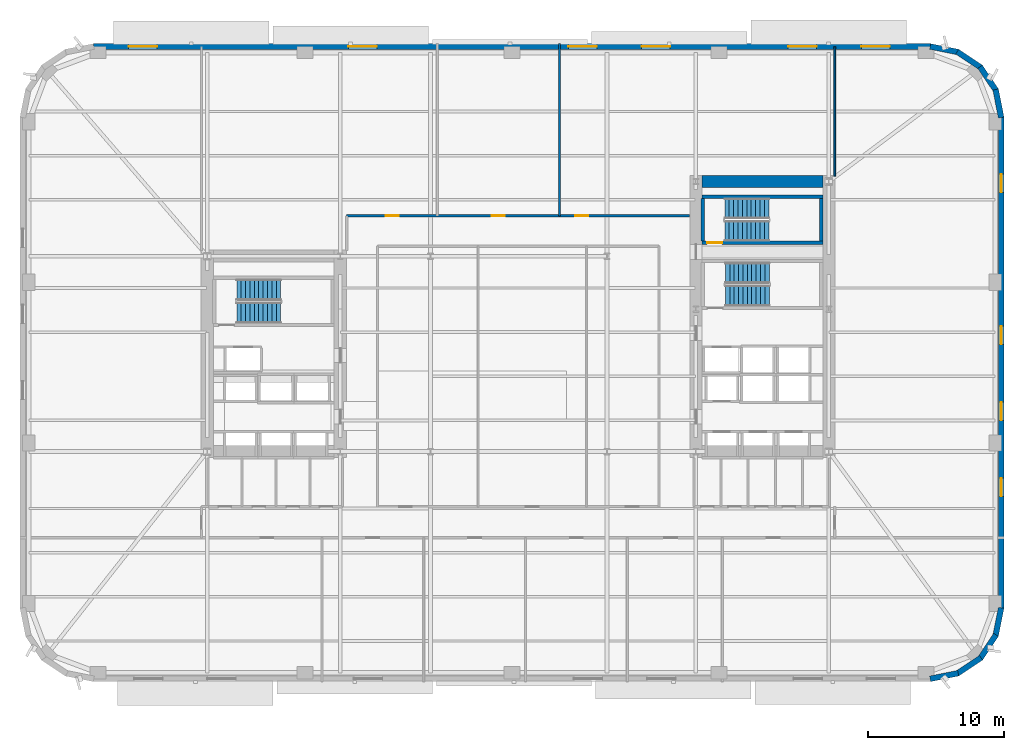
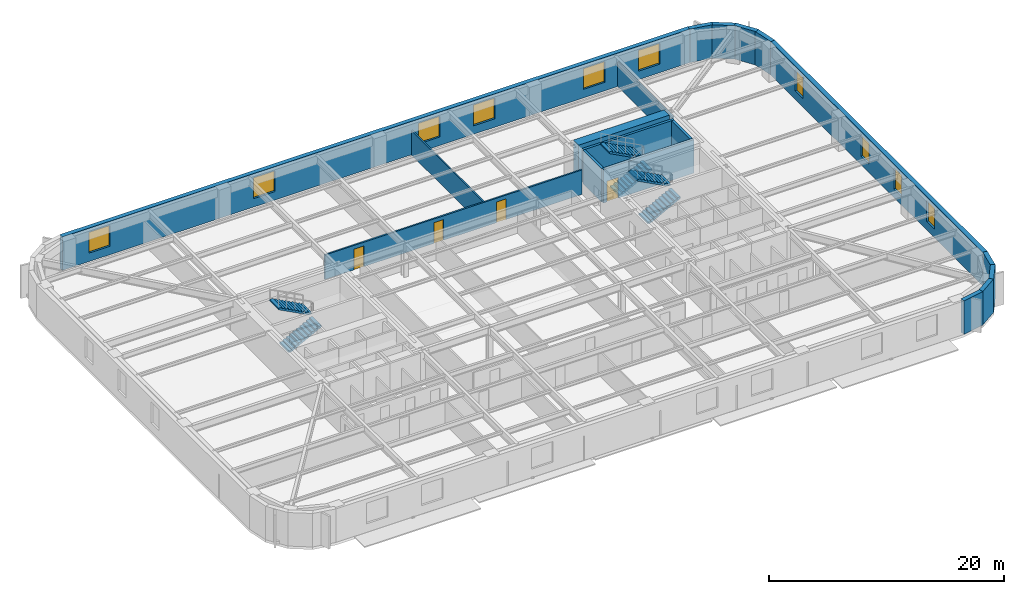
# One storey, part 7 of 15: 18 walls, 10 windows, 6 stair flights, 4 doors, 14 openings, 3 elements without a shape of their own.
"""IFC4 building model written with IfcOpenShell, lengths in metres."""

from ifc_helpers import new_model, si_unit, direction, frame, frame_2d, origin, place, context, subcontext, project, spatial, polyline, rectangle, outline, extrude, material, layer, layer_set, type_object, element, fill, aggregate, save


model = new_model("IFC4")

# Units and contexts
model_context = context("Model", 3, precision=1e-05, world=origin(), true_north=direction((0.0, 1.0)))
body_context = subcontext(model_context, "Body", "Model", "MODEL_VIEW")
ifc_project = project(units=[si_unit("LENGTHUNIT", "METRE"), si_unit("AREAUNIT", "SQUARE_METRE"), si_unit("VOLUMEUNIT", "CUBIC_METRE"), si_unit("PLANEANGLEUNIT", "RADIAN"), si_unit("MASSUNIT", "GRAM", prefix="KILO")], contexts=[model_context])

# Site, building, storey
site_placement = place(None, origin())
site = spatial("IfcSite", under=ifc_project, at=site_placement, CompositionType="ELEMENT")
building_placement = place(site_placement, origin())
building = spatial("IfcBuilding", under=site, at=building_placement, Name="Kolvaren Arena Tower", CompositionType="ELEMENT")
storey_placement = place(building_placement, frame((0.0, 0.0, 72.0)))
storey = spatial("IfcBuildingStorey", under=building, at=storey_placement, Name="L15", CompositionType="ELEMENT", Elevation=72.0)

# Wall, openings, doors
ifc_material_1 = material(Name="Gypsum board acoustic assembly", Category="gypsum")
ifc_layer_1 = layer(ifc_material_1, 0.159912109375)
ifc_layer_set_1 = layer_set([ifc_layer_1], Name="Gypsum board acoustic assembly")
wall_type_1 = type_object("IfcWallType", Name="CORR-160", PredefinedType="PARTITIONING", material=ifc_layer_set_1)
wall_1_placement = place(storey_placement, frame((24.820068359375, 36.820068359375, 0.0), z_axis=(0.0, 0.0, 1.0), x_axis=(1.0, 0.0, 0.0)))
wall_1 = element("IfcWall", 1, at=wall_1_placement, inside=storey, type_object=wall_type_1, Name="Interior Partition Wall (L15)", PredefinedType="PARTITIONING", context=body_context, shape_type="SweptSolid", body=[
    extrude(rectangle(XDim=25.260009765625, YDim=0.159912109375, at=frame_2d((12.6298828125, 0.0))), origin(), (0.0, 0.0, 1.0), 2.5400390625),
])
opening_1_placement = place(wall_1_placement, frame((2.8798828125, 0.0, 0.0)))
opening_1 = element("IfcOpeningElement", 2, at=opening_1_placement, cuts=wall_1, Name="Opening D05", PredefinedType="OPENING", context=body_context, shape_type="SweptSolid", body=[
    extrude(rectangle(XDim=0.949951171875, YDim=2.14990234375, at=frame_2d((0.47509765625, 1.074951171875))), frame((0.0, 0.08984375, 0.0), z_axis=(0.0, -1.0, 0.0), x_axis=(1.0, 0.0, 0.0)), (0.0, 0.0, 1.0), 0.179931640625),
])
opening_2_placement = place(wall_1_placement, frame((10.705078125, 0.0, 0.0)))
opening_2 = element("IfcOpeningElement", 3, at=opening_2_placement, cuts=wall_1, Name="Opening D05", PredefinedType="OPENING", context=body_context, shape_type="SweptSolid", body=[
    extrude(rectangle(XDim=0.949951171875, YDim=2.14990234375, at=frame_2d((0.47509765625, 1.074951171875))), frame((0.0, 0.08984375, 0.0), z_axis=(0.0, -1.0, 0.0), x_axis=(1.0, 0.0, 0.0)), (0.0, 0.0, 1.0), 0.179931640625),
])
opening_3_placement = place(wall_1_placement, frame((16.85498046875, 0.0, 0.0)))
opening_3 = element("IfcOpeningElement", 4, at=opening_3_placement, cuts=wall_1, Name="Opening D05", PredefinedType="OPENING", context=body_context, shape_type="SweptSolid", body=[
    extrude(rectangle(XDim=0.949951171875, YDim=2.14990234375, at=frame_2d((0.47509765625, 1.074951171875))), frame((0.0, 0.08984375, 0.0), z_axis=(0.0, -1.0, 0.0), x_axis=(1.0, 0.0, 0.0)), (0.0, 0.0, 1.0), 0.179931640625),
])
ifc_material_2 = material(Name="Solid-core oak acoustic office door", Category="wood")
door_type_1 = type_object("IfcDoorType", Name="DOOR-OF-095", OperationType="NOTDEFINED", PredefinedType="DOOR", material=ifc_material_2)
door_1_placement = place(opening_1_placement, origin())
door_1 = element("IfcDoor", 5, at=door_1_placement, inside=storey, type_object=door_type_1, Name="Design Studio Door (L15)", OperationType="SINGLE_SWING_LEFT", OverallHeight=2.14990234375, OverallWidth=0.949951171875, PredefinedType="DOOR", context=body_context, shape_type="SweptSolid", body=[
    extrude(rectangle(XDim=0.949951171875, YDim=2.14990234375, at=frame_2d((0.47509765625, 1.074951171875))), frame((0.0, 0.02490234375, 0.0), z_axis=(0.0, -1.0, 0.0), x_axis=(1.0, 0.0, 0.0)), (0.0, 0.0, 1.0), 0.050048828125),
])
fill(opening_1, door_1)
door_2_placement = place(opening_2_placement, origin())
door_2 = element("IfcDoor", 6, at=door_2_placement, inside=storey, type_object=door_type_1, Name="Open Plan Office Door (L15)", OperationType="SINGLE_SWING_RIGHT", OverallHeight=2.14990234375, OverallWidth=0.949951171875, PredefinedType="DOOR", context=body_context, shape_type="SweptSolid", body=[
    extrude(rectangle(XDim=0.949951171875, YDim=2.14990234375, at=frame_2d((0.47509765625, 1.074951171875))), frame((0.0, 0.02490234375, 0.0), z_axis=(0.0, -1.0, 0.0), x_axis=(1.0, 0.0, 0.0)), (0.0, 0.0, 1.0), 0.050048828125),
])
fill(opening_2, door_2)
door_3_placement = place(opening_3_placement, origin())
door_3 = element("IfcDoor", 7, at=door_3_placement, inside=storey, type_object=door_type_1, Name="Design Studio Door (L15)", OperationType="SINGLE_SWING_LEFT", OverallHeight=2.14990234375, OverallWidth=0.949951171875, PredefinedType="DOOR", context=body_context, shape_type="SweptSolid", body=[
    extrude(rectangle(XDim=0.949951171875, YDim=2.14990234375, at=frame_2d((0.47509765625, 1.074951171875))), frame((0.0, 0.02490234375, 0.0), z_axis=(0.0, -1.0, 0.0), x_axis=(1.0, 0.0, 0.0)), (0.0, 0.0, 1.0), 0.050048828125),
])
fill(opening_3, door_3)

# Walls
ifc_material_3 = material(Name="Concrete 80 MPa", Category="concrete")
ifc_layer_2 = layer(ifc_material_3, 0.89990234375)
ifc_layer_set_2 = layer_set([ifc_layer_2], Name="Concrete 80 MPa")
wall_type_2 = type_object("IfcWallType", Name="CWALL-900", PredefinedType="SHEAR", material=ifc_layer_set_2)
wall_2_placement = place(storey_placement, frame((51.0, 39.35009765625, -0.27001953125), z_axis=(0.0, 0.0, 1.0), x_axis=(1.0, 0.0, 0.0)))
element("IfcWall", 8, at=wall_2_placement, inside=storey, type_object=wall_type_2, Name="Core Shear Wall EC-NORTH (L15)", PredefinedType="SHEAR", context=body_context, shape_type="SweptSolid", body=[
    extrude(rectangle(XDim=8.89990234375, YDim=0.89990234375, at=frame_2d((4.449951171875, 0.0))), origin(), (0.0, 0.0, 1.0), 3.75),
])
ifc_material_4 = material(Name="Precast concrete C50/60", Category="concrete")
ifc_layer_3 = layer(ifc_material_4, 0.419921875)
ifc_layer_set_3 = layer_set([ifc_layer_3], Name="Precast concrete C50/60")
wall_type_3 = type_object("IfcWallType", Name="EXT-PIER1", PredefinedType="SOLIDWALL", material=ifc_layer_set_3)
for number, where, z_axis, x_axis, name in (
    (9, (69.87548828125, 3.1171875, 0.0), (0.0, 0.0, 1.0), (-0.9807762837, -0.195135546048, 0.0), "Exterior Precast Masonry-Frame Wall (L15)"),
    (10, (71.5517578125, 4.256103515625, 0.0), (0.0, 0.0, 1.0), (-0.831515102434, -0.555502146192, 0.0), "Exterior Precast Masonry-Frame Wall (L15)"),
    (11, (72.664306640625, 5.9501953125, 0.0), (0.0, 0.0, 1.0), (-0.555502146192, -0.831515102434, 0.0), "Exterior Precast Masonry-Frame Wall (L15)"),
    (12, (73.0439453125, 7.94091796875, 0.0), (0.0, 0.0, 1.0), (-0.195135546048, -0.9807762837, 0.0), "Exterior Precast Masonry-Frame Wall (L15)"),
):
    element("IfcWall", number, at=place(storey_placement, frame(where, z_axis=z_axis, x_axis=x_axis)), inside=storey, type_object=wall_type_3, Name=name, PredefinedType="SOLIDWALL", context=body_context, shape_type="SweptSolid", body=[
        extrude(rectangle(XDim=2.10693359375, YDim=0.419921875, at=frame_2d((1.053466796875, 0.0))), origin(), (0.0, 0.0, 1.0), 3.47998046875),
    ])

# Wall, openings, windows
wall_3_placement = place(storey_placement, frame((73.0400390625, 44.10009765625, 0.0), z_axis=(0.0, 0.0, 1.0), x_axis=(0.0, -1.0, 0.0)))
wall_3 = element("IfcWall", 13, at=wall_3_placement, inside=storey, type_object=wall_type_3, Name="Exterior Precast Masonry-Frame Wall (L15)", PredefinedType="SOLIDWALL", context=body_context, shape_type="SweptSolid", body=[
    extrude(rectangle(XDim=36.2001953125, YDim=0.419921875, at=frame_2d((18.10009765625, 0.0))), origin(), (0.0, 0.0, 1.0), 3.47998046875),
])
opening_4_placement = place(wall_3_placement, frame((4.199951171875, 0.0, 0.8798828125)))
opening_4 = element("IfcOpeningElement", 14, at=opening_4_placement, cuts=wall_3, Name="Opening W04", PredefinedType="OPENING", context=body_context, shape_type="SweptSolid", body=[
    extrude(rectangle(XDim=1.35009765625, YDim=2.199951171875, at=frame_2d((0.675048828125, 1.10009765625))), frame((0.0, 0.219970703125, 0.0), z_axis=(0.0, -1.0, 0.0), x_axis=(1.0, 0.0, 0.0)), (0.0, 0.0, 1.0), 0.43994140625),
])
opening_5_placement = place(wall_3_placement, frame((15.39990234375, 0.0, 0.8798828125)))
opening_5 = element("IfcOpeningElement", 15, at=opening_5_placement, cuts=wall_3, Name="Opening W04", PredefinedType="OPENING", context=body_context, shape_type="SweptSolid", body=[
    extrude(rectangle(XDim=1.35009765625, YDim=2.199951171875, at=frame_2d((0.675048828125, 1.10009765625))), frame((0.0, 0.219970703125, 0.0), z_axis=(0.0, -1.0, 0.0), x_axis=(1.0, 0.0, 0.0)), (0.0, 0.0, 1.0), 0.43994140625),
])
opening_6_placement = place(wall_3_placement, frame((21.0, 0.0, 0.8798828125)))
opening_6 = element("IfcOpeningElement", 16, at=opening_6_placement, cuts=wall_3, Name="Opening W04", PredefinedType="OPENING", context=body_context, shape_type="SweptSolid", body=[
    extrude(rectangle(XDim=1.35009765625, YDim=2.199951171875, at=frame_2d((0.675048828125, 1.10009765625))), frame((0.0, 0.219970703125, 0.0), z_axis=(0.0, -1.0, 0.0), x_axis=(1.0, 0.0, 0.0)), (0.0, 0.0, 1.0), 0.43994140625),
])
opening_7_placement = place(wall_3_placement, frame((26.60009765625, 0.0, 0.8798828125)))
opening_7 = element("IfcOpeningElement", 17, at=opening_7_placement, cuts=wall_3, Name="Opening W04", PredefinedType="OPENING", context=body_context, shape_type="SweptSolid", body=[
    extrude(rectangle(XDim=1.35009765625, YDim=2.199951171875, at=frame_2d((0.675048828125, 1.10009765625))), frame((0.0, 0.219970703125, 0.0), z_axis=(0.0, -1.0, 0.0), x_axis=(1.0, 0.0, 0.0)), (0.0, 0.0, 1.0), 0.43994140625),
])
ifc_material_5 = material(Name="Triple-glazed curved-facet corner window", Category="glass")
window_type_1 = type_object("IfcWindowType", Name="WIN-CRN-A", PartitioningType="SINGLE_PANEL", PredefinedType="WINDOW", material=ifc_material_5)
window_1_placement = place(opening_4_placement, origin())
window_1 = element("IfcWindow", 18, at=window_1_placement, inside=storey, type_object=window_type_1, Name="End-Wall Punched Window (L15)", OverallHeight=2.199951171875, OverallWidth=1.35009765625, PartitioningType="SINGLE_PANEL", PredefinedType="WINDOW", context=body_context, shape_type="SweptSolid", body=[
    extrude(rectangle(XDim=1.35009765625, YDim=2.199951171875, at=frame_2d((0.675048828125, 1.10009765625))), frame((0.0, 0.030029296875, 0.0), z_axis=(0.0, -1.0, 0.0), x_axis=(1.0, 0.0, 0.0)), (0.0, 0.0, 1.0), 0.06005859375),
])
fill(opening_4, window_1)
window_2_placement = place(opening_5_placement, origin())
window_2 = element("IfcWindow", 19, at=window_2_placement, inside=storey, type_object=window_type_1, Name="End-Wall Punched Window (L15)", OverallHeight=2.199951171875, OverallWidth=1.35009765625, PartitioningType="SINGLE_PANEL", PredefinedType="WINDOW", context=body_context, shape_type="SweptSolid", body=[
    extrude(rectangle(XDim=1.35009765625, YDim=2.199951171875, at=frame_2d((0.675048828125, 1.10009765625))), frame((0.0, 0.030029296875, 0.0), z_axis=(0.0, -1.0, 0.0), x_axis=(1.0, 0.0, 0.0)), (0.0, 0.0, 1.0), 0.06005859375),
])
fill(opening_5, window_2)
window_3_placement = place(opening_6_placement, origin())
window_3 = element("IfcWindow", 20, at=window_3_placement, inside=storey, type_object=window_type_1, Name="End-Wall Punched Window (L15)", OverallHeight=2.199951171875, OverallWidth=1.35009765625, PartitioningType="SINGLE_PANEL", PredefinedType="WINDOW", context=body_context, shape_type="SweptSolid", body=[
    extrude(rectangle(XDim=1.35009765625, YDim=2.199951171875, at=frame_2d((0.675048828125, 1.10009765625))), frame((0.0, 0.030029296875, 0.0), z_axis=(0.0, -1.0, 0.0), x_axis=(1.0, 0.0, 0.0)), (0.0, 0.0, 1.0), 0.06005859375),
])
fill(opening_6, window_3)
window_4_placement = place(opening_7_placement, origin())
window_4 = element("IfcWindow", 21, at=window_4_placement, inside=storey, type_object=window_type_1, Name="End-Wall Punched Window (L15)", OverallHeight=2.199951171875, OverallWidth=1.35009765625, PartitioningType="SINGLE_PANEL", PredefinedType="WINDOW", context=body_context, shape_type="SweptSolid", body=[
    extrude(rectangle(XDim=1.35009765625, YDim=2.199951171875, at=frame_2d((0.675048828125, 1.10009765625))), frame((0.0, 0.030029296875, 0.0), z_axis=(0.0, -1.0, 0.0), x_axis=(1.0, 0.0, 0.0)), (0.0, 0.0, 1.0), 0.06005859375),
])
fill(opening_7, window_4)

# Walls
for number, where, z_axis, x_axis, name in (
    (22, (72.6328125, 46.12548828125, 0.0), (0.0, 0.0, 1.0), (0.195135546048, -0.9807762837, 0.0), "Exterior Precast Masonry-Frame Wall (L15)"),
    (23, (71.493896484375, 47.8017578125, 0.0), (0.0, 0.0, 1.0), (0.555502146192, -0.831515102434, 0.0), "Exterior Precast Masonry-Frame Wall (L15)"),
    (24, (69.7998046875, 48.914306640625, 0.0), (0.0, 0.0, 1.0), (0.831515102434, -0.555502146192, 0.0), "Exterior Precast Masonry-Frame Wall (L15)"),
    (25, (67.80908203125, 49.2939453125, 0.0), (0.0, 0.0, 1.0), (0.9807762837, -0.195135546048, 0.0), "Exterior Precast Masonry-Frame Wall (L15)"),
):
    element("IfcWall", number, at=place(storey_placement, frame(where, z_axis=z_axis, x_axis=x_axis)), inside=storey, type_object=wall_type_3, Name=name, PredefinedType="SOLIDWALL", context=body_context, shape_type="SweptSolid", body=[
        extrude(rectangle(XDim=2.10693359375, YDim=0.419921875, at=frame_2d((1.053466796875, 0.0))), origin(), (0.0, 0.0, 1.0), 3.47998046875),
    ])

# Wall, openings, windows
wall_4_placement = place(storey_placement, frame((6.14990234375, 49.2900390625, 0.0), z_axis=(0.0, 0.0, 1.0), x_axis=(1.0, 0.0, 0.0)))
wall_4 = element("IfcWall", 26, at=wall_4_placement, inside=storey, type_object=wall_type_3, Name="Exterior Precast Masonry-Frame Wall (L15)", PredefinedType="SOLIDWALL", context=body_context, shape_type="SweptSolid", body=[
    extrude(rectangle(XDim=61.7001953125, YDim=0.419921875, at=frame_2d((30.85009765625, 0.0))), origin(), (0.0, 0.0, 1.0), 3.47998046875),
])
opening_8_placement = place(wall_4_placement, frame((2.60009765625, 0.0, 0.8798828125)))
opening_8 = element("IfcOpeningElement", 27, at=opening_8_placement, cuts=wall_4, Name="Opening W01", PredefinedType="OPENING", context=body_context, shape_type="SweptSolid", body=[
    extrude(rectangle(XDim=2.10009765625, YDim=2.14990234375, at=frame_2d((1.050048828125, 1.074951171875))), frame((0.0, 0.219970703125, 0.0), z_axis=(0.0, -1.0, 0.0), x_axis=(1.0, 0.0, 0.0)), (0.0, 0.0, 1.0), 0.43994140625),
])
opening_9_placement = place(wall_4_placement, frame((18.800048828125, 0.0, 0.8798828125)))
opening_9 = element("IfcOpeningElement", 28, at=opening_9_placement, cuts=wall_4, Name="Opening W01", PredefinedType="OPENING", context=body_context, shape_type="SweptSolid", body=[
    extrude(rectangle(XDim=2.10009765625, YDim=2.14990234375, at=frame_2d((1.050048828125, 1.074951171875))), frame((0.0, 0.219970703125, 0.0), z_axis=(0.0, -1.0, 0.0), x_axis=(1.0, 0.0, 0.0)), (0.0, 0.0, 1.0), 0.43994140625),
])
opening_10_placement = place(wall_4_placement, frame((35.0, 0.0, 0.8798828125)))
opening_10 = element("IfcOpeningElement", 29, at=opening_10_placement, cuts=wall_4, Name="Opening W01", PredefinedType="OPENING", context=body_context, shape_type="SweptSolid", body=[
    extrude(rectangle(XDim=2.10009765625, YDim=2.14990234375, at=frame_2d((1.050048828125, 1.074951171875))), frame((0.0, 0.219970703125, 0.0), z_axis=(0.0, -1.0, 0.0), x_axis=(1.0, 0.0, 0.0)), (0.0, 0.0, 1.0), 0.43994140625),
])
opening_11_placement = place(wall_4_placement, frame((40.39990234375, 0.0, 0.8798828125)))
opening_11 = element("IfcOpeningElement", 30, at=opening_11_placement, cuts=wall_4, Name="Opening W01", PredefinedType="OPENING", context=body_context, shape_type="SweptSolid", body=[
    extrude(rectangle(XDim=2.10009765625, YDim=2.14990234375, at=frame_2d((1.050048828125, 1.074951171875))), frame((0.0, 0.219970703125, 0.0), z_axis=(0.0, -1.0, 0.0), x_axis=(1.0, 0.0, 0.0)), (0.0, 0.0, 1.0), 0.43994140625),
])
opening_12_placement = place(wall_4_placement, frame((51.199951171875, 0.0, 0.8798828125)))
opening_12 = element("IfcOpeningElement", 31, at=opening_12_placement, cuts=wall_4, Name="Opening W01", PredefinedType="OPENING", context=body_context, shape_type="SweptSolid", body=[
    extrude(rectangle(XDim=2.10009765625, YDim=2.14990234375, at=frame_2d((1.050048828125, 1.074951171875))), frame((0.0, 0.219970703125, 0.0), z_axis=(0.0, -1.0, 0.0), x_axis=(1.0, 0.0, 0.0)), (0.0, 0.0, 1.0), 0.43994140625),
])
opening_13_placement = place(wall_4_placement, frame((56.60009765625, 0.0, 0.8798828125)))
opening_13 = element("IfcOpeningElement", 32, at=opening_13_placement, cuts=wall_4, Name="Opening W01", PredefinedType="OPENING", context=body_context, shape_type="SweptSolid", body=[
    extrude(rectangle(XDim=2.10009765625, YDim=2.14990234375, at=frame_2d((1.050048828125, 1.074951171875))), frame((0.0, 0.219970703125, 0.0), z_axis=(0.0, -1.0, 0.0), x_axis=(1.0, 0.0, 0.0)), (0.0, 0.0, 1.0), 0.43994140625),
])
ifc_material_6 = material(Name="Triple-glazed low-E aluminium window", Category="aluminium")
window_type_2 = type_object("IfcWindowType", Name="WIN-OFF-A", PartitioningType="DOUBLE_PANEL_VERTICAL", PredefinedType="WINDOW", material=ifc_material_6)
window_5_placement = place(opening_8_placement, origin())
window_5 = element("IfcWindow", 33, at=window_5_placement, inside=storey, type_object=window_type_2, Name="Punched Precast-Pier Window (L15)", OverallHeight=2.14990234375, OverallWidth=2.10009765625, PartitioningType="DOUBLE_PANEL_VERTICAL", PredefinedType="WINDOW", context=body_context, shape_type="SweptSolid", body=[
    extrude(rectangle(XDim=2.10009765625, YDim=2.14990234375, at=frame_2d((1.050048828125, 1.074951171875))), frame((0.0, 0.030029296875, 0.0), z_axis=(0.0, -1.0, 0.0), x_axis=(1.0, 0.0, 0.0)), (0.0, 0.0, 1.0), 0.06005859375),
])
fill(opening_8, window_5)
window_6_placement = place(opening_9_placement, origin())
window_6 = element("IfcWindow", 34, at=window_6_placement, inside=storey, type_object=window_type_2, Name="Punched Precast-Pier Window (L15)", OverallHeight=2.14990234375, OverallWidth=2.10009765625, PartitioningType="DOUBLE_PANEL_VERTICAL", PredefinedType="WINDOW", context=body_context, shape_type="SweptSolid", body=[
    extrude(rectangle(XDim=2.10009765625, YDim=2.14990234375, at=frame_2d((1.050048828125, 1.074951171875))), frame((0.0, 0.030029296875, 0.0), z_axis=(0.0, -1.0, 0.0), x_axis=(1.0, 0.0, 0.0)), (0.0, 0.0, 1.0), 0.06005859375),
])
fill(opening_9, window_6)
window_7_placement = place(opening_10_placement, origin())
window_7 = element("IfcWindow", 35, at=window_7_placement, inside=storey, type_object=window_type_2, Name="Punched Precast-Pier Window (L15)", OverallHeight=2.14990234375, OverallWidth=2.10009765625, PartitioningType="DOUBLE_PANEL_VERTICAL", PredefinedType="WINDOW", context=body_context, shape_type="SweptSolid", body=[
    extrude(rectangle(XDim=2.10009765625, YDim=2.14990234375, at=frame_2d((1.050048828125, 1.074951171875))), frame((0.0, 0.030029296875, 0.0), z_axis=(0.0, -1.0, 0.0), x_axis=(1.0, 0.0, 0.0)), (0.0, 0.0, 1.0), 0.06005859375),
])
fill(opening_10, window_7)
window_8_placement = place(opening_11_placement, origin())
window_8 = element("IfcWindow", 36, at=window_8_placement, inside=storey, type_object=window_type_2, Name="Punched Precast-Pier Window (L15)", OverallHeight=2.14990234375, OverallWidth=2.10009765625, PartitioningType="DOUBLE_PANEL_VERTICAL", PredefinedType="WINDOW", context=body_context, shape_type="SweptSolid", body=[
    extrude(rectangle(XDim=2.10009765625, YDim=2.14990234375, at=frame_2d((1.050048828125, 1.074951171875))), frame((0.0, 0.030029296875, 0.0), z_axis=(0.0, -1.0, 0.0), x_axis=(1.0, 0.0, 0.0)), (0.0, 0.0, 1.0), 0.06005859375),
])
fill(opening_11, window_8)
window_9_placement = place(opening_12_placement, origin())
window_9 = element("IfcWindow", 37, at=window_9_placement, inside=storey, type_object=window_type_2, Name="Punched Precast-Pier Window (L15)", OverallHeight=2.14990234375, OverallWidth=2.10009765625, PartitioningType="DOUBLE_PANEL_VERTICAL", PredefinedType="WINDOW", context=body_context, shape_type="SweptSolid", body=[
    extrude(rectangle(XDim=2.10009765625, YDim=2.14990234375, at=frame_2d((1.050048828125, 1.074951171875))), frame((0.0, 0.030029296875, 0.0), z_axis=(0.0, -1.0, 0.0), x_axis=(1.0, 0.0, 0.0)), (0.0, 0.0, 1.0), 0.06005859375),
])
fill(opening_12, window_9)
window_10_placement = place(opening_13_placement, origin())
window_10 = element("IfcWindow", 38, at=window_10_placement, inside=storey, type_object=window_type_2, Name="Punched Precast-Pier Window (L15)", OverallHeight=2.14990234375, OverallWidth=2.10009765625, PartitioningType="DOUBLE_PANEL_VERTICAL", PredefinedType="WINDOW", context=body_context, shape_type="SweptSolid", body=[
    extrude(rectangle(XDim=2.10009765625, YDim=2.14990234375, at=frame_2d((1.050048828125, 1.074951171875))), frame((0.0, 0.030029296875, 0.0), z_axis=(0.0, -1.0, 0.0), x_axis=(1.0, 0.0, 0.0)), (0.0, 0.0, 1.0), 0.06005859375),
])
fill(opening_13, window_10)

# Walls
ifc_material_7 = material(Name="Gypsum board partition assembly", Category="gypsum")
ifc_layer_4 = layer(ifc_material_7, 0.135009765625)
ifc_layer_set_4 = layer_set([ifc_layer_4], Name="Gypsum board partition assembly")
wall_type_4 = type_object("IfcWallType", Name="PART-135", PredefinedType="PARTITIONING", material=ifc_layer_set_4)
wall_5_placement = place(storey_placement, frame((40.5, 36.820068359375, 0.0), z_axis=(0.0, 0.0, 1.0), x_axis=(0.0, 1.0, 0.0)))
element("IfcWall", 39, at=wall_5_placement, inside=storey, type_object=wall_type_4, Name="Interior Partition Wall (L15)", PredefinedType="PARTITIONING", context=body_context, shape_type="SweptSolid", body=[
    extrude(rectangle(XDim=12.679931640625, YDim=0.135009765625, at=frame_2d((6.33984375, 0.0))), origin(), (0.0, 0.0, 1.0), 2.5400390625),
])
wall_6_placement = place(storey_placement, frame((60.780029296875, 39.75, 0.0), z_axis=(0.0, 0.0, 1.0), x_axis=(0.0, 1.0, 0.0)))
element("IfcWall", 40, at=wall_6_placement, inside=storey, type_object=wall_type_4, Name="Interior Partition Wall (L15)", PredefinedType="PARTITIONING", context=body_context, shape_type="SweptSolid", body=[
    extrude(rectangle(XDim=9.510009765625, YDim=0.135009765625, at=frame_2d((4.7548828125, 0.0))), origin(), (0.0, 0.0, 1.0), 2.5400390625),
])

# Wall, opening, door
ifc_material_8 = material(Name="Concrete 45 MPa", Category="concrete")
ifc_layer_5 = layer(ifc_material_8, 0.25)
ifc_layer_set_5 = layer_set([ifc_layer_5], Name="Concrete 45 MPa")
wall_type_5 = type_object("IfcWallType", Name="SHAFT-250", PredefinedType="SOLIDWALL", material=ifc_layer_set_5)
wall_7_placement = place(storey_placement, frame((59.89990234375, 34.830078125, 0.0), z_axis=(0.0, 0.0, 1.0), x_axis=(-1.0, 0.0, 0.0)))
wall_7 = element("IfcWall", 41, at=wall_7_placement, inside=storey, type_object=wall_type_5, Name="Core Shaft Wall (L15)", PredefinedType="SOLIDWALL", context=body_context, shape_type="SweptSolid", body=[
    extrude(rectangle(XDim=8.89990234375, YDim=0.239990234375, at=frame_2d((4.449951171875, 0.0))), origin(), (0.0, 0.0, 1.0), 3.47998046875),
])
opening_14_placement = place(wall_7_placement, frame((7.419921875, 0.0, 0.0)))
opening_14 = element("IfcOpeningElement", 42, at=opening_14_placement, cuts=wall_7, Name="Opening D03", PredefinedType="OPENING", context=body_context, shape_type="SweptSolid", body=[
    extrude(rectangle(XDim=1.10009765625, YDim=2.14990234375, at=frame_2d((0.550048828125, 1.074951171875))), frame((0.0, 0.1298828125, 0.0), z_axis=(0.0, -1.0, 0.0), x_axis=(1.0, 0.0, 0.0)), (0.0, 0.0, 1.0), 0.260009765625),
])
ifc_material_9 = material(Name="Fire-rated steel exit stair door", Category="steel")
door_type_2 = type_object("IfcDoorType", Name="DOOR-ST-110", OperationType="NOTDEFINED", PredefinedType="DOOR", material=ifc_material_9)
door_4_placement = place(opening_14_placement, origin())
door_4 = element("IfcDoor", 43, at=door_4_placement, inside=storey, type_object=door_type_2, Name="Stair ST-E2 Fire Door (L15)", OperationType="SINGLE_SWING_LEFT", OverallHeight=2.14990234375, OverallWidth=1.10009765625, PredefinedType="DOOR", context=body_context, shape_type="SweptSolid", body=[
    extrude(rectangle(XDim=1.10009765625, YDim=2.14990234375, at=frame_2d((0.550048828125, 1.074951171875))), frame((0.0, 0.02490234375, 0.0), z_axis=(0.0, -1.0, 0.0), x_axis=(1.0, 0.0, 0.0)), (0.0, 0.0, 1.0), 0.050048828125),
])
fill(opening_14, door_4)

# Walls
wall_8_placement = place(storey_placement, frame((51.0, 38.219970703125, 0.0), z_axis=(0.0, 0.0, 1.0), x_axis=(1.0, 0.0, 0.0)))
element("IfcWall", 44, at=wall_8_placement, inside=storey, type_object=wall_type_5, Name="Core Shaft Wall (L15)", PredefinedType="SOLIDWALL", context=body_context, shape_type="SweptSolid", body=[
    extrude(rectangle(XDim=8.89990234375, YDim=0.239990234375, at=frame_2d((4.449951171875, 0.0))), origin(), (0.0, 0.0, 1.0), 3.47998046875),
])
for number, where, z_axis, x_axis, name in (
    (45, (51.06005859375, 34.949951171875, 0.0), (0.0, 0.0, 1.0), (0.0, 1.0, 0.0), "Core Shaft Wall (L15)"),
    (46, (59.780029296875, 34.949951171875, 0.0), (0.0, 0.0, 1.0), (0.0, 1.0, 0.0), "Core Shaft Wall (L15)"),
):
    element("IfcWall", number, at=place(storey_placement, frame(where, z_axis=z_axis, x_axis=x_axis)), inside=storey, type_object=wall_type_5, Name=name, PredefinedType="SOLIDWALL", context=body_context, shape_type="SweptSolid", body=[
        extrude(rectangle(XDim=3.150146484375, YDim=0.239990234375, at=frame_2d((1.5751953125, 0.0))), origin(), (0.0, 0.0, 1.0), 3.47998046875),
    ])

# Stair, stair flights
stair_type_1 = type_object("IfcStairType", Name="STAIR-CORE-150", PredefinedType="HALF_TURN_STAIR", material=ifc_material_8)
stair_1_placement = place(storey_placement, origin())
stair_1 = element("IfcStair", 47, at=stair_1_placement, inside=storey, type_object=stair_type_1, Name="L15 ST-E2", PredefinedType="HALF_TURN_STAIR")
stair_flight_type_1 = type_object("IfcStairFlightType", Name="FLT-150", PredefinedType="STRAIGHT", material=ifc_material_8)
stair_flight_1_placement = place(storey_placement, frame((52.679931640625, 35.699951171875, 0.0), z_axis=(0.0, 0.0, 1.0), x_axis=(1.0, 0.0, 0.0)))
stair_flight_1 = element("IfcStairFlight", 48, at=stair_flight_1_placement, type_object=stair_flight_type_1, Name="ST-E2 flight 1", NumberOfRisers=11, NumberOfTreads=10, PredefinedType="STRAIGHT", RiserHeight=0.170454545, TreadLength=0.324, context=body_context, shape_type="SweptSolid", body=[
    extrude(outline(polyline([(0.0, 0.0), (0.0, 0.17041015625), (0.323974609375, 0.17041015625), (0.323974609375, 0.3408203125), (0.64794921875, 0.3408203125), (0.64794921875, 0.511474609375), (0.971923828125, 0.511474609375), (0.971923828125, 0.681884765625), (1.2958984375, 0.681884765625), (1.2958984375, 0.852294921875), (1.6201171875, 0.852294921875), (1.6201171875, 1.022705078125), (1.944091796875, 1.022705078125), (1.944091796875, 1.193115234375), (2.26806640625, 1.193115234375), (2.26806640625, 1.363525390625), (2.592041015625, 1.363525390625), (2.592041015625, 1.5341796875), (2.916015625, 1.5341796875), (2.916015625, 1.70458984375), (3.239990234375, 1.70458984375), (3.239990234375, 1.875), (3.239990234375, 1.53515625), (0.322021484375, 0.0), (0.0, 0.0)])), frame((0.0, 0.75, 0.0), z_axis=(0.0, -1.0, 0.0), x_axis=(1.0, 0.0, 0.0)), (0.0, 0.0, 1.0), 1.5),
])
stair_flight_2_placement = place(storey_placement, frame((55.919921875, 37.35009765625, 1.875), z_axis=(0.0, 0.0, 1.0), x_axis=(-1.0, 0.0, 0.0)))
stair_flight_2 = element("IfcStairFlight", 49, at=stair_flight_2_placement, type_object=stair_flight_type_1, Name="ST-E2 flight 2", NumberOfRisers=11, NumberOfTreads=10, PredefinedType="STRAIGHT", RiserHeight=0.170454545, TreadLength=0.324, context=body_context, shape_type="SweptSolid", body=[
    extrude(outline(polyline([(0.0, 0.0), (0.0, 0.17041015625), (0.323974609375, 0.17041015625), (0.323974609375, 0.3408203125), (0.64794921875, 0.3408203125), (0.64794921875, 0.511474609375), (0.971923828125, 0.511474609375), (0.971923828125, 0.681884765625), (1.2958984375, 0.681884765625), (1.2958984375, 0.852294921875), (1.6201171875, 0.852294921875), (1.6201171875, 1.022705078125), (1.944091796875, 1.022705078125), (1.944091796875, 1.193115234375), (2.26806640625, 1.193115234375), (2.26806640625, 1.363525390625), (2.592041015625, 1.363525390625), (2.592041015625, 1.5341796875), (2.916015625, 1.5341796875), (2.916015625, 1.70458984375), (3.239990234375, 1.70458984375), (3.239990234375, 1.875), (3.239990234375, 1.53515625), (0.322021484375, 0.0), (0.0, 0.0)])), frame((0.0, 0.75, 0.0), z_axis=(0.0, -1.0, 0.0), x_axis=(1.0, 0.0, 0.0)), (0.0, 0.0, 1.0), 1.5),
])
aggregate(stair_1, [stair_flight_1, stair_flight_2])

stair_type_2 = type_object("IfcStairType", Name="STAIR-CORE-165", PredefinedType="HALF_TURN_STAIR", material=ifc_material_8)
stair_2_placement = place(storey_placement, origin())
stair_2 = element("IfcStair", 50, at=stair_2_placement, inside=storey, type_object=stair_type_2, Name="L15 ST-W1", PredefinedType="HALF_TURN_STAIR")
stair_flight_type_2 = type_object("IfcStairFlightType", Name="FLT-165", PredefinedType="STRAIGHT", material=ifc_material_8)
stair_flight_3_placement = place(storey_placement, frame((16.719970703125, 29.669921875, 0.0), z_axis=(0.0, 0.0, 1.0), x_axis=(1.0, 0.0, 0.0)))
stair_flight_3 = element("IfcStairFlight", 51, at=stair_flight_3_placement, type_object=stair_flight_type_2, Name="ST-W1 flight 1", NumberOfRisers=11, NumberOfTreads=10, PredefinedType="STRAIGHT", RiserHeight=0.170454545, TreadLength=0.324, context=body_context, shape_type="SweptSolid", body=[
    extrude(outline(polyline([(0.0, 0.0), (0.0, 0.17041015625), (0.323974609375, 0.17041015625), (0.323974609375, 0.3408203125), (0.64794921875, 0.3408203125), (0.64794921875, 0.511474609375), (0.971923828125, 0.511474609375), (0.971923828125, 0.681884765625), (1.2958984375, 0.681884765625), (1.2958984375, 0.852294921875), (1.6201171875, 0.852294921875), (1.6201171875, 1.022705078125), (1.944091796875, 1.022705078125), (1.944091796875, 1.193115234375), (2.26806640625, 1.193115234375), (2.26806640625, 1.363525390625), (2.592041015625, 1.363525390625), (2.592041015625, 1.5341796875), (2.916015625, 1.5341796875), (2.916015625, 1.70458984375), (3.239990234375, 1.70458984375), (3.239990234375, 1.875), (3.239990234375, 1.53515625), (0.322021484375, 0.0), (0.0, 0.0)])), frame((0.0, 0.77001953125, 0.0), z_axis=(0.0, -1.0, 0.0), x_axis=(1.0, 0.0, 0.0)), (0.0, 0.0, 1.0), 1.5400390625),
])
stair_flight_4_placement = place(storey_placement, frame((19.9599609375, 31.360107421875, 1.875), z_axis=(0.0, 0.0, 1.0), x_axis=(-1.0, 0.0, 0.0)))
stair_flight_4 = element("IfcStairFlight", 52, at=stair_flight_4_placement, type_object=stair_flight_type_2, Name="ST-W1 flight 2", NumberOfRisers=11, NumberOfTreads=10, PredefinedType="STRAIGHT", RiserHeight=0.170454545, TreadLength=0.324, context=body_context, shape_type="SweptSolid", body=[
    extrude(outline(polyline([(0.0, 0.0), (0.0, 0.17041015625), (0.323974609375, 0.17041015625), (0.323974609375, 0.3408203125), (0.64794921875, 0.3408203125), (0.64794921875, 0.511474609375), (0.971923828125, 0.511474609375), (0.971923828125, 0.681884765625), (1.2958984375, 0.681884765625), (1.2958984375, 0.852294921875), (1.6201171875, 0.852294921875), (1.6201171875, 1.022705078125), (1.944091796875, 1.022705078125), (1.944091796875, 1.193115234375), (2.26806640625, 1.193115234375), (2.26806640625, 1.363525390625), (2.592041015625, 1.363525390625), (2.592041015625, 1.5341796875), (2.916015625, 1.5341796875), (2.916015625, 1.70458984375), (3.239990234375, 1.70458984375), (3.239990234375, 1.875), (3.239990234375, 1.53515625), (0.322021484375, 0.0), (0.0, 0.0)])), frame((0.0, 0.77001953125, 0.0), z_axis=(0.0, -1.0, 0.0), x_axis=(1.0, 0.0, 0.0)), (0.0, 0.0, 1.0), 1.5400390625),
])
aggregate(stair_2, [stair_flight_3, stair_flight_4])

stair_3_placement = place(storey_placement, origin())
stair_3 = element("IfcStair", 53, at=stair_3_placement, inside=storey, type_object=stair_type_2, Name="L15 ST-E1", PredefinedType="HALF_TURN_STAIR")
stair_flight_5_placement = place(storey_placement, frame((52.719970703125, 30.919921875, 0.0), z_axis=(0.0, 0.0, 1.0), x_axis=(1.0, 0.0, 0.0)))
stair_flight_5 = element("IfcStairFlight", 54, at=stair_flight_5_placement, type_object=stair_flight_type_2, Name="ST-E1 flight 1", NumberOfRisers=11, NumberOfTreads=10, PredefinedType="STRAIGHT", RiserHeight=0.170454545, TreadLength=0.324, context=body_context, shape_type="SweptSolid", body=[
    extrude(outline(polyline([(0.0, 0.0), (0.0, 0.17041015625), (0.323974609375, 0.17041015625), (0.323974609375, 0.3408203125), (0.64794921875, 0.3408203125), (0.64794921875, 0.511474609375), (0.971923828125, 0.511474609375), (0.971923828125, 0.681884765625), (1.2958984375, 0.681884765625), (1.2958984375, 0.852294921875), (1.6201171875, 0.852294921875), (1.6201171875, 1.022705078125), (1.944091796875, 1.022705078125), (1.944091796875, 1.193115234375), (2.26806640625, 1.193115234375), (2.26806640625, 1.363525390625), (2.592041015625, 1.363525390625), (2.592041015625, 1.5341796875), (2.916015625, 1.5341796875), (2.916015625, 1.70458984375), (3.239990234375, 1.70458984375), (3.239990234375, 1.875), (3.239990234375, 1.53515625), (0.322021484375, 0.0), (0.0, 0.0)])), frame((0.0, 0.77001953125, 0.0), z_axis=(0.0, -1.0, 0.0), x_axis=(1.0, 0.0, 0.0)), (0.0, 0.0, 1.0), 1.5400390625),
])
stair_flight_6_placement = place(storey_placement, frame((55.9599609375, 32.610107421875, 1.875), z_axis=(0.0, 0.0, 1.0), x_axis=(-1.0, 0.0, 0.0)))
stair_flight_6 = element("IfcStairFlight", 55, at=stair_flight_6_placement, type_object=stair_flight_type_2, Name="ST-E1 flight 2", NumberOfRisers=11, NumberOfTreads=10, PredefinedType="STRAIGHT", RiserHeight=0.170454545, TreadLength=0.324, context=body_context, shape_type="SweptSolid", body=[
    extrude(outline(polyline([(0.0, 0.0), (0.0, 0.17041015625), (0.323974609375, 0.17041015625), (0.323974609375, 0.3408203125), (0.64794921875, 0.3408203125), (0.64794921875, 0.511474609375), (0.971923828125, 0.511474609375), (0.971923828125, 0.681884765625), (1.2958984375, 0.681884765625), (1.2958984375, 0.852294921875), (1.6201171875, 0.852294921875), (1.6201171875, 1.022705078125), (1.944091796875, 1.022705078125), (1.944091796875, 1.193115234375), (2.26806640625, 1.193115234375), (2.26806640625, 1.363525390625), (2.592041015625, 1.363525390625), (2.592041015625, 1.5341796875), (2.916015625, 1.5341796875), (2.916015625, 1.70458984375), (3.239990234375, 1.70458984375), (3.239990234375, 1.875), (3.239990234375, 1.53515625), (0.322021484375, 0.0), (0.0, 0.0)])), frame((0.0, 0.77001953125, 0.0), z_axis=(0.0, -1.0, 0.0), x_axis=(1.0, 0.0, 0.0)), (0.0, 0.0, 1.0), 1.5400390625),
])
aggregate(stair_3, [stair_flight_5, stair_flight_6])

save(model, "model.ifc")
